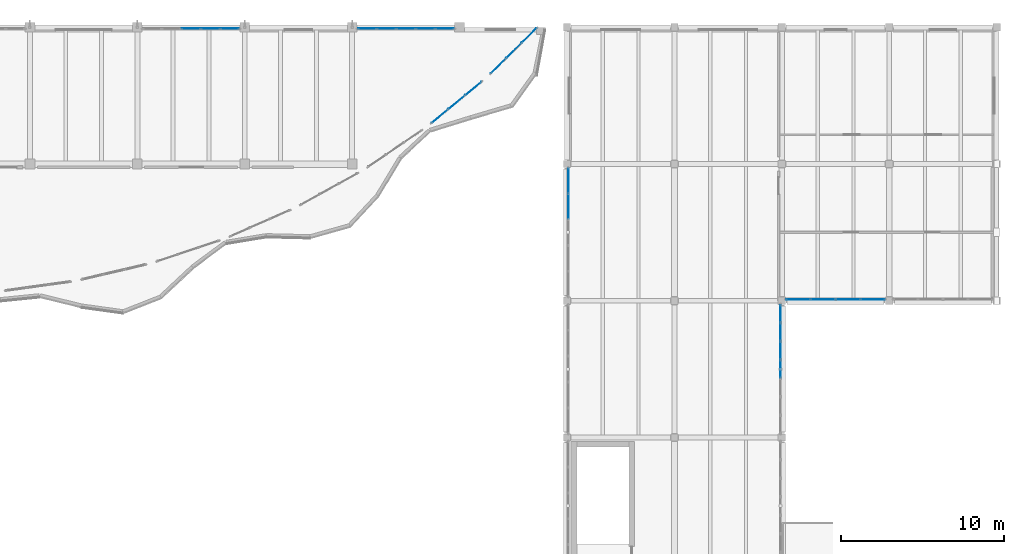
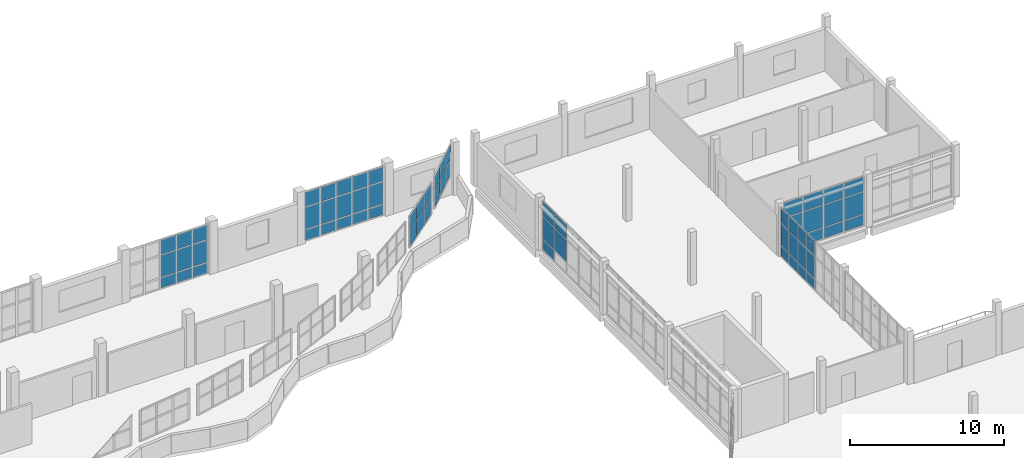
# One storey, part 42 of 74: 65 plates, 7 elements without a shape of their own.
"""IFC4 building model written with IfcOpenShell, lengths in metres."""

from ifc_helpers import new_model, si_unit, direction, frame, origin, origin_2d, place, context, subcontext, project, spatial, rectangle, extrude, material, layer, layer_set, type_object, element, aggregate, save


model = new_model("IFC4")

# Units and contexts
model_context = context("Model", 3, precision=1e-05, world=origin(), true_north=direction((0.0, 1.0)))
body_context = subcontext(model_context, "Body", "Model", "MODEL_VIEW")
ifc_project = project(units=[si_unit("LENGTHUNIT", "METRE"), si_unit("AREAUNIT", "SQUARE_METRE"), si_unit("VOLUMEUNIT", "CUBIC_METRE"), si_unit("PLANEANGLEUNIT", "RADIAN"), si_unit("MASSUNIT", "GRAM", prefix="KILO")], contexts=[model_context])

# Site, building, storey
site_placement = place(None, origin())
site = spatial("IfcSite", under=ifc_project, at=site_placement, CompositionType="ELEMENT")
building_placement = place(site_placement, origin())
building = spatial("IfcBuilding", under=site, at=building_placement, Name="Qaldarim Faculty of Natural and Applied Sciences", CompositionType="ELEMENT")
storey_placement = place(building_placement, frame((0.0, 0.0, 14.39990234375)))
storey = spatial("IfcBuildingStorey", under=building, at=storey_placement, Name="L03", CompositionType="ELEMENT", Elevation=14.39990234375)

# Curtain wall, plates
ifc_material_1 = material(Name="Anodised aluminium AW-6063", Category="aluminium")
curtain_wall_type_1 = type_object("IfcCurtainWallType", Name="CurtainWallSystem-M1200", PredefinedType="USERDEFINED", material=ifc_material_1)
curtain_wall_1_placement = place(storey_placement, origin())
curtain_wall_1 = element("IfcCurtainWall", 1, at=curtain_wall_1_placement, inside=storey, type_object=curtain_wall_type_1, Name="Curtain wall CW-L03-N-X20Y14", ObjectType="STICK CURTAIN WALL", PredefinedType="USERDEFINED")
ifc_material_2 = material(Name="Insulated low-e double glazing", Category="glass")
ifc_layer_1 = layer(ifc_material_2, 0.031982421875)
ifc_layer_set_1 = layer_set([ifc_layer_1], Name="Insulated low-e double glazing")
plate_type_1 = type_object("IfcPlateType", Name="SolarControlGlazingPanel-32", PredefinedType="CURTAIN_PANEL", material=ifc_layer_set_1)
plate_1_placement = place(storey_placement, frame((131.08642578125, 117.52001953125, 0.070068359375), z_axis=(0.0, 0.0, 1.0), x_axis=(-1.0, 0.0, 0.0)))
plate_1 = element("IfcPlate", 2, at=plate_1_placement, type_object=plate_type_1, Name="Glazed panel 1-1 of CW-L03-N-X20Y14", PredefinedType="CURTAIN_PANEL", context=body_context, shape_type="SweptSolid", body=[
    extrude(rectangle(XDim=1.096923828125, YDim=0.031982421875, at=origin_2d()), origin(), (0.0, 0.0, 1.0), 0.794921875),
])
plate_2_placement = place(storey_placement, frame((131.08642578125, 117.52001953125, 0.93505859375), z_axis=(0.0, 0.0, 1.0), x_axis=(-1.0, 0.0, 0.0)))
plate_2 = element("IfcPlate", 3, at=plate_2_placement, type_object=plate_type_1, Name="Glazed panel 1-2 of CW-L03-N-X20Y14", PredefinedType="CURTAIN_PANEL", context=body_context, shape_type="SweptSolid", body=[
    extrude(rectangle(XDim=1.096923828125, YDim=0.031982421875, at=origin_2d()), origin(), (0.0, 0.0, 1.0), 1.72998046875),
])
plate_3_placement = place(storey_placement, frame((131.08642578125, 117.52001953125, 2.73486328125), z_axis=(0.0, 0.0, 1.0), x_axis=(-1.0, 0.0, 0.0)))
plate_3 = element("IfcPlate", 4, at=plate_3_placement, type_object=plate_type_1, Name="Glazed panel 1-3 of CW-L03-N-X20Y14", PredefinedType="CURTAIN_PANEL", context=body_context, shape_type="SweptSolid", body=[
    extrude(rectangle(XDim=1.096923828125, YDim=0.031982421875, at=origin_2d()), origin(), (0.0, 0.0, 1.0), 1.135009765625),
])
plate_4_placement = place(storey_placement, frame((129.902099609375, 117.52001953125, 0.070068359375), z_axis=(0.0, 0.0, 1.0), x_axis=(-1.0, 0.0, 0.0)))
plate_4 = element("IfcPlate", 5, at=plate_4_placement, type_object=plate_type_1, Name="Glazed panel 2-1 of CW-L03-N-X20Y14", PredefinedType="CURTAIN_PANEL", context=body_context, shape_type="SweptSolid", body=[
    extrude(rectangle(XDim=1.132080078125, YDim=0.031982421875, at=origin_2d()), origin(), (0.0, 0.0, 1.0), 0.794921875),
])
plate_5_placement = place(storey_placement, frame((129.902099609375, 117.52001953125, 0.93505859375), z_axis=(0.0, 0.0, 1.0), x_axis=(-1.0, 0.0, 0.0)))
plate_5 = element("IfcPlate", 6, at=plate_5_placement, type_object=plate_type_1, Name="Glazed panel 2-2 of CW-L03-N-X20Y14", PredefinedType="CURTAIN_PANEL", context=body_context, shape_type="SweptSolid", body=[
    extrude(rectangle(XDim=1.132080078125, YDim=0.031982421875, at=origin_2d()), origin(), (0.0, 0.0, 1.0), 1.72998046875),
])
plate_6_placement = place(storey_placement, frame((129.902099609375, 117.52001953125, 2.73486328125), z_axis=(0.0, 0.0, 1.0), x_axis=(-1.0, 0.0, 0.0)))
plate_6 = element("IfcPlate", 7, at=plate_6_placement, type_object=plate_type_1, Name="Glazed panel 2-3 of CW-L03-N-X20Y14", PredefinedType="CURTAIN_PANEL", context=body_context, shape_type="SweptSolid", body=[
    extrude(rectangle(XDim=1.132080078125, YDim=0.031982421875, at=origin_2d()), origin(), (0.0, 0.0, 1.0), 1.135009765625),
])
plate_7_placement = place(storey_placement, frame((128.699951171875, 117.52001953125, 0.070068359375), z_axis=(0.0, 0.0, 1.0), x_axis=(-1.0, 0.0, 0.0)))
plate_7 = element("IfcPlate", 8, at=plate_7_placement, type_object=plate_type_1, Name="Glazed panel 3-1 of CW-L03-N-X20Y14", PredefinedType="CURTAIN_PANEL", context=body_context, shape_type="SweptSolid", body=[
    extrude(rectangle(XDim=1.132080078125, YDim=0.031982421875, at=origin_2d()), origin(), (0.0, 0.0, 1.0), 0.794921875),
])
plate_8_placement = place(storey_placement, frame((128.699951171875, 117.52001953125, 0.93505859375), z_axis=(0.0, 0.0, 1.0), x_axis=(-1.0, 0.0, 0.0)))
plate_8 = element("IfcPlate", 9, at=plate_8_placement, type_object=plate_type_1, Name="Glazed panel 3-2 of CW-L03-N-X20Y14", PredefinedType="CURTAIN_PANEL", context=body_context, shape_type="SweptSolid", body=[
    extrude(rectangle(XDim=1.132080078125, YDim=0.031982421875, at=origin_2d()), origin(), (0.0, 0.0, 1.0), 1.72998046875),
])
plate_9_placement = place(storey_placement, frame((128.699951171875, 117.52001953125, 2.73486328125), z_axis=(0.0, 0.0, 1.0), x_axis=(-1.0, 0.0, 0.0)))
plate_9 = element("IfcPlate", 10, at=plate_9_placement, type_object=plate_type_1, Name="Glazed panel 3-3 of CW-L03-N-X20Y14", PredefinedType="CURTAIN_PANEL", context=body_context, shape_type="SweptSolid", body=[
    extrude(rectangle(XDim=1.132080078125, YDim=0.031982421875, at=origin_2d()), origin(), (0.0, 0.0, 1.0), 1.135009765625),
])
aggregate(curtain_wall_1, [plate_1, plate_2, plate_3, plate_4, plate_5, plate_6, plate_7, plate_8, plate_9])

curtain_wall_2_placement = place(storey_placement, origin())
curtain_wall_2 = element("IfcCurtainWall", 11, at=curtain_wall_2_placement, inside=storey, type_object=curtain_wall_type_1, Name="Curtain wall CW-L03-N-X22Y14", ObjectType="STICK CURTAIN WALL", PredefinedType="USERDEFINED")
plate_10_placement = place(storey_placement, frame((144.28662109375, 117.52001953125, 0.070068359375), z_axis=(0.0, 0.0, 1.0), x_axis=(-1.0, 0.0, 0.0)))
plate_10 = element("IfcPlate", 12, at=plate_10_placement, type_object=plate_type_1, Name="Glazed panel 1-1 of CW-L03-N-X22Y14", PredefinedType="CURTAIN_PANEL", context=body_context, shape_type="SweptSolid", body=[
    extrude(rectangle(XDim=1.096923828125, YDim=0.031982421875, at=origin_2d()), origin(), (0.0, 0.0, 1.0), 0.794921875),
])
plate_11_placement = place(storey_placement, frame((144.28662109375, 117.52001953125, 0.93505859375), z_axis=(0.0, 0.0, 1.0), x_axis=(-1.0, 0.0, 0.0)))
plate_11 = element("IfcPlate", 13, at=plate_11_placement, type_object=plate_type_1, Name="Glazed panel 1-2 of CW-L03-N-X22Y14", PredefinedType="CURTAIN_PANEL", context=body_context, shape_type="SweptSolid", body=[
    extrude(rectangle(XDim=1.096923828125, YDim=0.031982421875, at=origin_2d()), origin(), (0.0, 0.0, 1.0), 1.72998046875),
])
plate_12_placement = place(storey_placement, frame((144.28662109375, 117.52001953125, 2.73486328125), z_axis=(0.0, 0.0, 1.0), x_axis=(-1.0, 0.0, 0.0)))
plate_12 = element("IfcPlate", 14, at=plate_12_placement, type_object=plate_type_1, Name="Glazed panel 1-3 of CW-L03-N-X22Y14", PredefinedType="CURTAIN_PANEL", context=body_context, shape_type="SweptSolid", body=[
    extrude(rectangle(XDim=1.096923828125, YDim=0.031982421875, at=origin_2d()), origin(), (0.0, 0.0, 1.0), 1.135009765625),
])
plate_13_placement = place(storey_placement, frame((143.10205078125, 117.52001953125, 0.070068359375), z_axis=(0.0, 0.0, 1.0), x_axis=(-1.0, 0.0, 0.0)))
plate_13 = element("IfcPlate", 15, at=plate_13_placement, type_object=plate_type_1, Name="Glazed panel 2-1 of CW-L03-N-X22Y14", PredefinedType="CURTAIN_PANEL", context=body_context, shape_type="SweptSolid", body=[
    extrude(rectangle(XDim=1.132080078125, YDim=0.031982421875, at=origin_2d()), origin(), (0.0, 0.0, 1.0), 0.794921875),
])
plate_14_placement = place(storey_placement, frame((143.10205078125, 117.52001953125, 0.93505859375), z_axis=(0.0, 0.0, 1.0), x_axis=(-1.0, 0.0, 0.0)))
plate_14 = element("IfcPlate", 16, at=plate_14_placement, type_object=plate_type_1, Name="Glazed panel 2-2 of CW-L03-N-X22Y14", PredefinedType="CURTAIN_PANEL", context=body_context, shape_type="SweptSolid", body=[
    extrude(rectangle(XDim=1.132080078125, YDim=0.031982421875, at=origin_2d()), origin(), (0.0, 0.0, 1.0), 1.72998046875),
])
plate_15_placement = place(storey_placement, frame((143.10205078125, 117.52001953125, 2.73486328125), z_axis=(0.0, 0.0, 1.0), x_axis=(-1.0, 0.0, 0.0)))
plate_15 = element("IfcPlate", 17, at=plate_15_placement, type_object=plate_type_1, Name="Glazed panel 2-3 of CW-L03-N-X22Y14", PredefinedType="CURTAIN_PANEL", context=body_context, shape_type="SweptSolid", body=[
    extrude(rectangle(XDim=1.132080078125, YDim=0.031982421875, at=origin_2d()), origin(), (0.0, 0.0, 1.0), 1.135009765625),
])
plate_16_placement = place(storey_placement, frame((141.89990234375, 117.52001953125, 0.070068359375), z_axis=(0.0, 0.0, 1.0), x_axis=(-1.0, 0.0, 0.0)))
plate_16 = element("IfcPlate", 18, at=plate_16_placement, type_object=plate_type_1, Name="Glazed panel 3-1 of CW-L03-N-X22Y14", PredefinedType="CURTAIN_PANEL", context=body_context, shape_type="SweptSolid", body=[
    extrude(rectangle(XDim=1.132080078125, YDim=0.031982421875, at=origin_2d()), origin(), (0.0, 0.0, 1.0), 0.794921875),
])
plate_17_placement = place(storey_placement, frame((141.89990234375, 117.52001953125, 0.93505859375), z_axis=(0.0, 0.0, 1.0), x_axis=(-1.0, 0.0, 0.0)))
plate_17 = element("IfcPlate", 19, at=plate_17_placement, type_object=plate_type_1, Name="Glazed panel 3-2 of CW-L03-N-X22Y14", PredefinedType="CURTAIN_PANEL", context=body_context, shape_type="SweptSolid", body=[
    extrude(rectangle(XDim=1.132080078125, YDim=0.031982421875, at=origin_2d()), origin(), (0.0, 0.0, 1.0), 1.72998046875),
])
plate_18_placement = place(storey_placement, frame((141.89990234375, 117.52001953125, 2.73486328125), z_axis=(0.0, 0.0, 1.0), x_axis=(-1.0, 0.0, 0.0)))
plate_18 = element("IfcPlate", 20, at=plate_18_placement, type_object=plate_type_1, Name="Glazed panel 3-3 of CW-L03-N-X22Y14", PredefinedType="CURTAIN_PANEL", context=body_context, shape_type="SweptSolid", body=[
    extrude(rectangle(XDim=1.132080078125, YDim=0.031982421875, at=origin_2d()), origin(), (0.0, 0.0, 1.0), 1.135009765625),
])
plate_19_placement = place(storey_placement, frame((140.697998046875, 117.52001953125, 0.070068359375), z_axis=(0.0, 0.0, 1.0), x_axis=(-1.0, 0.0, 0.0)))
plate_19 = element("IfcPlate", 21, at=plate_19_placement, type_object=plate_type_1, Name="Glazed panel 4-1 of CW-L03-N-X22Y14", PredefinedType="CURTAIN_PANEL", context=body_context, shape_type="SweptSolid", body=[
    extrude(rectangle(XDim=1.132080078125, YDim=0.031982421875, at=origin_2d()), origin(), (0.0, 0.0, 1.0), 0.794921875),
])
plate_20_placement = place(storey_placement, frame((140.697998046875, 117.52001953125, 0.93505859375), z_axis=(0.0, 0.0, 1.0), x_axis=(-1.0, 0.0, 0.0)))
plate_20 = element("IfcPlate", 22, at=plate_20_placement, type_object=plate_type_1, Name="Glazed panel 4-2 of CW-L03-N-X22Y14", PredefinedType="CURTAIN_PANEL", context=body_context, shape_type="SweptSolid", body=[
    extrude(rectangle(XDim=1.132080078125, YDim=0.031982421875, at=origin_2d()), origin(), (0.0, 0.0, 1.0), 1.72998046875),
])
plate_21_placement = place(storey_placement, frame((140.697998046875, 117.52001953125, 2.73486328125), z_axis=(0.0, 0.0, 1.0), x_axis=(-1.0, 0.0, 0.0)))
plate_21 = element("IfcPlate", 23, at=plate_21_placement, type_object=plate_type_1, Name="Glazed panel 4-3 of CW-L03-N-X22Y14", PredefinedType="CURTAIN_PANEL", context=body_context, shape_type="SweptSolid", body=[
    extrude(rectangle(XDim=1.132080078125, YDim=0.031982421875, at=origin_2d()), origin(), (0.0, 0.0, 1.0), 1.135009765625),
])
plate_22_placement = place(storey_placement, frame((139.513427734375, 117.52001953125, 0.070068359375), z_axis=(0.0, 0.0, 1.0), x_axis=(-1.0, 0.0, 0.0)))
plate_22 = element("IfcPlate", 24, at=plate_22_placement, type_object=plate_type_1, Name="Glazed panel 5-1 of CW-L03-N-X22Y14", PredefinedType="CURTAIN_PANEL", context=body_context, shape_type="SweptSolid", body=[
    extrude(rectangle(XDim=1.096923828125, YDim=0.031982421875, at=origin_2d()), origin(), (0.0, 0.0, 1.0), 0.794921875),
])
plate_23_placement = place(storey_placement, frame((139.513427734375, 117.52001953125, 0.93505859375), z_axis=(0.0, 0.0, 1.0), x_axis=(-1.0, 0.0, 0.0)))
plate_23 = element("IfcPlate", 25, at=plate_23_placement, type_object=plate_type_1, Name="Glazed panel 5-2 of CW-L03-N-X22Y14", PredefinedType="CURTAIN_PANEL", context=body_context, shape_type="SweptSolid", body=[
    extrude(rectangle(XDim=1.096923828125, YDim=0.031982421875, at=origin_2d()), origin(), (0.0, 0.0, 1.0), 1.72998046875),
])
plate_24_placement = place(storey_placement, frame((139.513427734375, 117.52001953125, 2.73486328125), z_axis=(0.0, 0.0, 1.0), x_axis=(-1.0, 0.0, 0.0)))
plate_24 = element("IfcPlate", 26, at=plate_24_placement, type_object=plate_type_1, Name="Glazed panel 5-3 of CW-L03-N-X22Y14", PredefinedType="CURTAIN_PANEL", context=body_context, shape_type="SweptSolid", body=[
    extrude(rectangle(XDim=1.096923828125, YDim=0.031982421875, at=origin_2d()), origin(), (0.0, 0.0, 1.0), 1.135009765625),
])
aggregate(curtain_wall_2, [plate_10, plate_11, plate_12, plate_13, plate_14, plate_15, plate_16, plate_17, plate_18, plate_19, plate_20, plate_21, plate_22, plate_23, plate_24])

curtain_wall_3_placement = place(storey_placement, origin())
curtain_wall_3 = element("IfcCurtainWall", 27, at=curtain_wall_3_placement, inside=storey, type_object=curtain_wall_type_1, Name="Curtain wall CW-L03-E-X25Y12", ObjectType="STICK CURTAIN WALL", PredefinedType="USERDEFINED")
plate_25_placement = place(storey_placement, frame((164.919921875, 96.60009765625, 0.070068359375), z_axis=(0.0, 0.0, 1.0), x_axis=(0.0, 1.0, 0.0)))
plate_25 = element("IfcPlate", 28, at=plate_25_placement, type_object=plate_type_1, Name="Glazed panel 4-1 of CW-L03-E-X25Y12", PredefinedType="CURTAIN_PANEL", context=body_context, shape_type="SweptSolid", body=[
    extrude(rectangle(XDim=1.067138671875, YDim=0.031982421875, at=origin_2d()), origin(), (0.0, 0.0, 1.0), 0.794921875),
])
plate_26_placement = place(storey_placement, frame((164.919921875, 96.60009765625, 0.93505859375), z_axis=(0.0, 0.0, 1.0), x_axis=(0.0, 1.0, 0.0)))
plate_26 = element("IfcPlate", 29, at=plate_26_placement, type_object=plate_type_1, Name="Glazed panel 4-2 of CW-L03-E-X25Y12", PredefinedType="CURTAIN_PANEL", context=body_context, shape_type="SweptSolid", body=[
    extrude(rectangle(XDim=1.067138671875, YDim=0.031982421875, at=origin_2d()), origin(), (0.0, 0.0, 1.0), 1.72998046875),
])
plate_27_placement = place(storey_placement, frame((164.919921875, 96.60009765625, 2.73486328125), z_axis=(0.0, 0.0, 1.0), x_axis=(0.0, 1.0, 0.0)))
plate_27 = element("IfcPlate", 30, at=plate_27_placement, type_object=plate_type_1, Name="Glazed panel 4-3 of CW-L03-E-X25Y12", PredefinedType="CURTAIN_PANEL", context=body_context, shape_type="SweptSolid", body=[
    extrude(rectangle(XDim=1.067138671875, YDim=0.031982421875, at=origin_2d()), origin(), (0.0, 0.0, 1.0), 1.135009765625),
])
plate_28_placement = place(storey_placement, frame((164.919921875, 97.737060546875, 0.070068359375), z_axis=(0.0, 0.0, 1.0), x_axis=(0.0, 1.0, 0.0)))
plate_28 = element("IfcPlate", 31, at=plate_28_placement, type_object=plate_type_1, Name="Glazed panel 5-1 of CW-L03-E-X25Y12", PredefinedType="CURTAIN_PANEL", context=body_context, shape_type="SweptSolid", body=[
    extrude(rectangle(XDim=1.067138671875, YDim=0.031982421875, at=origin_2d()), origin(), (0.0, 0.0, 1.0), 0.794921875),
])
plate_29_placement = place(storey_placement, frame((164.919921875, 97.737060546875, 0.93505859375), z_axis=(0.0, 0.0, 1.0), x_axis=(0.0, 1.0, 0.0)))
plate_29 = element("IfcPlate", 32, at=plate_29_placement, type_object=plate_type_1, Name="Glazed panel 5-2 of CW-L03-E-X25Y12", PredefinedType="CURTAIN_PANEL", context=body_context, shape_type="SweptSolid", body=[
    extrude(rectangle(XDim=1.067138671875, YDim=0.031982421875, at=origin_2d()), origin(), (0.0, 0.0, 1.0), 1.72998046875),
])
plate_30_placement = place(storey_placement, frame((164.919921875, 97.737060546875, 2.73486328125), z_axis=(0.0, 0.0, 1.0), x_axis=(0.0, 1.0, 0.0)))
plate_30 = element("IfcPlate", 33, at=plate_30_placement, type_object=plate_type_1, Name="Glazed panel 5-3 of CW-L03-E-X25Y12", PredefinedType="CURTAIN_PANEL", context=body_context, shape_type="SweptSolid", body=[
    extrude(rectangle(XDim=1.067138671875, YDim=0.031982421875, at=origin_2d()), origin(), (0.0, 0.0, 1.0), 1.135009765625),
])
plate_31_placement = place(storey_placement, frame((164.919921875, 98.874267578125, 0.070068359375), z_axis=(0.0, 0.0, 1.0), x_axis=(0.0, 1.0, 0.0)))
plate_31 = element("IfcPlate", 34, at=plate_31_placement, type_object=plate_type_1, Name="Glazed panel 6-1 of CW-L03-E-X25Y12", PredefinedType="CURTAIN_PANEL", context=body_context, shape_type="SweptSolid", body=[
    extrude(rectangle(XDim=1.067138671875, YDim=0.031982421875, at=origin_2d()), origin(), (0.0, 0.0, 1.0), 0.794921875),
])
plate_32_placement = place(storey_placement, frame((164.919921875, 98.874267578125, 0.93505859375), z_axis=(0.0, 0.0, 1.0), x_axis=(0.0, 1.0, 0.0)))
plate_32 = element("IfcPlate", 35, at=plate_32_placement, type_object=plate_type_1, Name="Glazed panel 6-2 of CW-L03-E-X25Y12", PredefinedType="CURTAIN_PANEL", context=body_context, shape_type="SweptSolid", body=[
    extrude(rectangle(XDim=1.067138671875, YDim=0.031982421875, at=origin_2d()), origin(), (0.0, 0.0, 1.0), 1.72998046875),
])
plate_33_placement = place(storey_placement, frame((164.919921875, 98.874267578125, 2.73486328125), z_axis=(0.0, 0.0, 1.0), x_axis=(0.0, 1.0, 0.0)))
plate_33 = element("IfcPlate", 36, at=plate_33_placement, type_object=plate_type_1, Name="Glazed panel 6-3 of CW-L03-E-X25Y12", PredefinedType="CURTAIN_PANEL", context=body_context, shape_type="SweptSolid", body=[
    extrude(rectangle(XDim=1.067138671875, YDim=0.031982421875, at=origin_2d()), origin(), (0.0, 0.0, 1.0), 1.135009765625),
])
plate_34_placement = place(storey_placement, frame((164.919921875, 99.993896484375, 0.070068359375), z_axis=(0.0, 0.0, 1.0), x_axis=(0.0, 1.0, 0.0)))
plate_34 = element("IfcPlate", 37, at=plate_34_placement, type_object=plate_type_1, Name="Glazed panel 7-1 of CW-L03-E-X25Y12", PredefinedType="CURTAIN_PANEL", context=body_context, shape_type="SweptSolid", body=[
    extrude(rectangle(XDim=1.031982421875, YDim=0.031982421875, at=origin_2d()), origin(), (0.0, 0.0, 1.0), 0.794921875),
])
plate_35_placement = place(storey_placement, frame((164.919921875, 99.993896484375, 0.93505859375), z_axis=(0.0, 0.0, 1.0), x_axis=(0.0, 1.0, 0.0)))
plate_35 = element("IfcPlate", 38, at=plate_35_placement, type_object=plate_type_1, Name="Glazed panel 7-2 of CW-L03-E-X25Y12", PredefinedType="CURTAIN_PANEL", context=body_context, shape_type="SweptSolid", body=[
    extrude(rectangle(XDim=1.031982421875, YDim=0.031982421875, at=origin_2d()), origin(), (0.0, 0.0, 1.0), 1.72998046875),
])
plate_36_placement = place(storey_placement, frame((164.919921875, 99.993896484375, 2.73486328125), z_axis=(0.0, 0.0, 1.0), x_axis=(0.0, 1.0, 0.0)))
plate_36 = element("IfcPlate", 39, at=plate_36_placement, type_object=plate_type_1, Name="Glazed panel 7-3 of CW-L03-E-X25Y12", PredefinedType="CURTAIN_PANEL", context=body_context, shape_type="SweptSolid", body=[
    extrude(rectangle(XDim=1.031982421875, YDim=0.031982421875, at=origin_2d()), origin(), (0.0, 0.0, 1.0), 1.135009765625),
])
aggregate(curtain_wall_3, [plate_25, plate_26, plate_27, plate_28, plate_29, plate_30, plate_31, plate_32, plate_33, plate_34, plate_35, plate_36])

curtain_wall_type_2 = type_object("IfcCurtainWallType", Name="CurtainWallSystem-M1600", PredefinedType="USERDEFINED", material=ifc_material_1)
curtain_wall_4_placement = place(storey_placement, origin())
curtain_wall_4 = element("IfcCurtainWall", 40, at=curtain_wall_4_placement, inside=storey, type_object=curtain_wall_type_2, Name="Curtain wall CW-L03-W-X24Y13", ObjectType="UNITISED FACADE", PredefinedType="USERDEFINED")
ifc_layer_2 = layer(ifc_material_2, 0.028076171875)
ifc_layer_set_2 = layer_set([ifc_layer_2], Name="Insulated low-e double glazing")
plate_type_2 = type_object("IfcPlateType", Name="VisionGlazingPanel-28", PredefinedType="CURTAIN_PANEL", material=ifc_layer_set_2)
plate_37_placement = place(storey_placement, frame((151.8798828125, 108.1689453125, 0.06005859375), z_axis=(0.0, 0.0, 1.0), x_axis=(0.0, -1.0, 0.0)))
plate_37 = element("IfcPlate", 41, at=plate_37_placement, type_object=plate_type_2, Name="Glazed panel 1-1 of CW-L03-W-X24Y13", PredefinedType="CURTAIN_PANEL", context=body_context, shape_type="SweptSolid", body=[
    extrude(rectangle(XDim=1.501953125, YDim=0.028076171875, at=origin_2d()), origin(), (0.0, 0.0, 1.0), 0.81005859375),
])
plate_38_placement = place(storey_placement, frame((151.8798828125, 108.1689453125, 0.93017578125), z_axis=(0.0, 0.0, 1.0), x_axis=(0.0, -1.0, 0.0)))
plate_38 = element("IfcPlate", 42, at=plate_38_placement, type_object=plate_type_2, Name="Glazed panel 1-2 of CW-L03-W-X24Y13", PredefinedType="CURTAIN_PANEL", context=body_context, shape_type="SweptSolid", body=[
    extrude(rectangle(XDim=1.501953125, YDim=0.028076171875, at=origin_2d()), origin(), (0.0, 0.0, 1.0), 1.739990234375),
])
plate_39_placement = place(storey_placement, frame((151.8798828125, 108.1689453125, 2.730224609375), z_axis=(0.0, 0.0, 1.0), x_axis=(0.0, -1.0, 0.0)))
plate_39 = element("IfcPlate", 43, at=plate_39_placement, type_object=plate_type_2, Name="Glazed panel 1-3 of CW-L03-W-X24Y13", PredefinedType="CURTAIN_PANEL", context=body_context, shape_type="SweptSolid", body=[
    extrude(rectangle(XDim=1.501953125, YDim=0.028076171875, at=origin_2d()), origin(), (0.0, 0.0, 1.0), 1.14990234375),
])
plate_40_placement = place(storey_placement, frame((151.8798828125, 106.592041015625, 0.93017578125), z_axis=(0.0, 0.0, 1.0), x_axis=(0.0, -1.0, 0.0)))
plate_40 = element("IfcPlate", 44, at=plate_40_placement, type_object=plate_type_2, Name="Glazed panel 2-2 of CW-L03-W-X24Y13", PredefinedType="CURTAIN_PANEL", context=body_context, shape_type="SweptSolid", body=[
    extrude(rectangle(XDim=1.531982421875, YDim=0.028076171875, at=origin_2d()), origin(), (0.0, 0.0, 1.0), 1.739990234375),
])
plate_41_placement = place(storey_placement, frame((151.8798828125, 106.592041015625, 2.730224609375), z_axis=(0.0, 0.0, 1.0), x_axis=(0.0, -1.0, 0.0)))
plate_41 = element("IfcPlate", 45, at=plate_41_placement, type_object=plate_type_2, Name="Glazed panel 2-3 of CW-L03-W-X24Y13", PredefinedType="CURTAIN_PANEL", context=body_context, shape_type="SweptSolid", body=[
    extrude(rectangle(XDim=1.531982421875, YDim=0.028076171875, at=origin_2d()), origin(), (0.0, 0.0, 1.0), 1.14990234375),
])
aggregate(curtain_wall_4, [plate_37, plate_38, plate_39, plate_40, plate_41])

curtain_wall_5_placement = place(storey_placement, origin())
curtain_wall_5 = element("IfcCurtainWall", 46, at=curtain_wall_5_placement, inside=storey, type_object=curtain_wall_type_2, Name="Curtain wall CW-L03-S-X26Y13", ObjectType="UNITISED FACADE", PredefinedType="USERDEFINED")
plate_42_placement = place(storey_placement, frame((166.0048828125, 100.8798828125, 0.06005859375), z_axis=(0.0, 0.0, 1.0), x_axis=(1.0, 0.0, 0.0)))
plate_42 = element("IfcPlate", 47, at=plate_42_placement, type_object=plate_type_2, Name="Glazed panel 1-1 of CW-L03-S-X26Y13", PredefinedType="CURTAIN_PANEL", context=body_context, shape_type="SweptSolid", body=[
    extrude(rectangle(XDim=1.449951171875, YDim=0.028076171875, at=origin_2d()), origin(), (0.0, 0.0, 1.0), 0.81005859375),
])
plate_43_placement = place(storey_placement, frame((166.0048828125, 100.8798828125, 0.93017578125), z_axis=(0.0, 0.0, 1.0), x_axis=(1.0, 0.0, 0.0)))
plate_43 = element("IfcPlate", 48, at=plate_43_placement, type_object=plate_type_2, Name="Glazed panel 1-2 of CW-L03-S-X26Y13", PredefinedType="CURTAIN_PANEL", context=body_context, shape_type="SweptSolid", body=[
    extrude(rectangle(XDim=1.449951171875, YDim=0.028076171875, at=origin_2d()), origin(), (0.0, 0.0, 1.0), 1.739990234375),
])
plate_44_placement = place(storey_placement, frame((166.0048828125, 100.8798828125, 2.730224609375), z_axis=(0.0, 0.0, 1.0), x_axis=(1.0, 0.0, 0.0)))
plate_44 = element("IfcPlate", 49, at=plate_44_placement, type_object=plate_type_2, Name="Glazed panel 1-3 of CW-L03-S-X26Y13", PredefinedType="CURTAIN_PANEL", context=body_context, shape_type="SweptSolid", body=[
    extrude(rectangle(XDim=1.449951171875, YDim=0.028076171875, at=origin_2d()), origin(), (0.0, 0.0, 1.0), 1.14990234375),
])
plate_45_placement = place(storey_placement, frame((167.530029296875, 100.8798828125, 0.06005859375), z_axis=(0.0, 0.0, 1.0), x_axis=(1.0, 0.0, 0.0)))
plate_45 = element("IfcPlate", 50, at=plate_45_placement, type_object=plate_type_2, Name="Glazed panel 2-1 of CW-L03-S-X26Y13", PredefinedType="CURTAIN_PANEL", context=body_context, shape_type="SweptSolid", body=[
    extrude(rectangle(XDim=1.47998046875, YDim=0.028076171875, at=origin_2d()), origin(), (0.0, 0.0, 1.0), 0.81005859375),
])
plate_46_placement = place(storey_placement, frame((167.530029296875, 100.8798828125, 0.93017578125), z_axis=(0.0, 0.0, 1.0), x_axis=(1.0, 0.0, 0.0)))
plate_46 = element("IfcPlate", 51, at=plate_46_placement, type_object=plate_type_2, Name="Glazed panel 2-2 of CW-L03-S-X26Y13", PredefinedType="CURTAIN_PANEL", context=body_context, shape_type="SweptSolid", body=[
    extrude(rectangle(XDim=1.47998046875, YDim=0.028076171875, at=origin_2d()), origin(), (0.0, 0.0, 1.0), 1.739990234375),
])
plate_47_placement = place(storey_placement, frame((167.530029296875, 100.8798828125, 2.730224609375), z_axis=(0.0, 0.0, 1.0), x_axis=(1.0, 0.0, 0.0)))
plate_47 = element("IfcPlate", 52, at=plate_47_placement, type_object=plate_type_2, Name="Glazed panel 2-3 of CW-L03-S-X26Y13", PredefinedType="CURTAIN_PANEL", context=body_context, shape_type="SweptSolid", body=[
    extrude(rectangle(XDim=1.47998046875, YDim=0.028076171875, at=origin_2d()), origin(), (0.0, 0.0, 1.0), 1.14990234375),
])
plate_48_placement = place(storey_placement, frame((169.070068359375, 100.8798828125, 0.06005859375), z_axis=(0.0, 0.0, 1.0), x_axis=(1.0, 0.0, 0.0)))
plate_48 = element("IfcPlate", 53, at=plate_48_placement, type_object=plate_type_2, Name="Glazed panel 3-1 of CW-L03-S-X26Y13", PredefinedType="CURTAIN_PANEL", context=body_context, shape_type="SweptSolid", body=[
    extrude(rectangle(XDim=1.47998046875, YDim=0.028076171875, at=origin_2d()), origin(), (0.0, 0.0, 1.0), 0.81005859375),
])
plate_49_placement = place(storey_placement, frame((169.070068359375, 100.8798828125, 0.93017578125), z_axis=(0.0, 0.0, 1.0), x_axis=(1.0, 0.0, 0.0)))
plate_49 = element("IfcPlate", 54, at=plate_49_placement, type_object=plate_type_2, Name="Glazed panel 3-2 of CW-L03-S-X26Y13", PredefinedType="CURTAIN_PANEL", context=body_context, shape_type="SweptSolid", body=[
    extrude(rectangle(XDim=1.47998046875, YDim=0.028076171875, at=origin_2d()), origin(), (0.0, 0.0, 1.0), 1.739990234375),
])
plate_50_placement = place(storey_placement, frame((169.070068359375, 100.8798828125, 2.730224609375), z_axis=(0.0, 0.0, 1.0), x_axis=(1.0, 0.0, 0.0)))
plate_50 = element("IfcPlate", 55, at=plate_50_placement, type_object=plate_type_2, Name="Glazed panel 3-3 of CW-L03-S-X26Y13", PredefinedType="CURTAIN_PANEL", context=body_context, shape_type="SweptSolid", body=[
    extrude(rectangle(XDim=1.47998046875, YDim=0.028076171875, at=origin_2d()), origin(), (0.0, 0.0, 1.0), 1.14990234375),
])
plate_51_placement = place(storey_placement, frame((170.594970703125, 100.8798828125, 0.06005859375), z_axis=(0.0, 0.0, 1.0), x_axis=(1.0, 0.0, 0.0)))
plate_51 = element("IfcPlate", 56, at=plate_51_placement, type_object=plate_type_2, Name="Glazed panel 4-1 of CW-L03-S-X26Y13", PredefinedType="CURTAIN_PANEL", context=body_context, shape_type="SweptSolid", body=[
    extrude(rectangle(XDim=1.449951171875, YDim=0.028076171875, at=origin_2d()), origin(), (0.0, 0.0, 1.0), 0.81005859375),
])
plate_52_placement = place(storey_placement, frame((170.594970703125, 100.8798828125, 0.93017578125), z_axis=(0.0, 0.0, 1.0), x_axis=(1.0, 0.0, 0.0)))
plate_52 = element("IfcPlate", 57, at=plate_52_placement, type_object=plate_type_2, Name="Glazed panel 4-2 of CW-L03-S-X26Y13", PredefinedType="CURTAIN_PANEL", context=body_context, shape_type="SweptSolid", body=[
    extrude(rectangle(XDim=1.449951171875, YDim=0.028076171875, at=origin_2d()), origin(), (0.0, 0.0, 1.0), 1.739990234375),
])
plate_53_placement = place(storey_placement, frame((170.594970703125, 100.8798828125, 2.730224609375), z_axis=(0.0, 0.0, 1.0), x_axis=(1.0, 0.0, 0.0)))
plate_53 = element("IfcPlate", 58, at=plate_53_placement, type_object=plate_type_2, Name="Glazed panel 4-3 of CW-L03-S-X26Y13", PredefinedType="CURTAIN_PANEL", context=body_context, shape_type="SweptSolid", body=[
    extrude(rectangle(XDim=1.449951171875, YDim=0.028076171875, at=origin_2d()), origin(), (0.0, 0.0, 1.0), 1.14990234375),
])
aggregate(curtain_wall_5, [plate_42, plate_43, plate_44, plate_45, plate_46, plate_47, plate_48, plate_49, plate_50, plate_51, plate_52, plate_53])

curtain_wall_type_3 = type_object("IfcCurtainWallType", Name="CurtainWallSystem-M1400", PredefinedType="USERDEFINED", material=ifc_material_1)
curtain_wall_6_placement = place(storey_placement, origin())
curtain_wall_6 = element("IfcCurtainWall", 59, at=curtain_wall_6_placement, inside=storey, type_object=curtain_wall_type_3, Name="Curtain wall CW-V4ARC-L03-14", ObjectType="STICK CURTAIN WALL", PredefinedType="USERDEFINED")
plate_54_placement = place(storey_placement, frame((143.9873046875, 112.138671875, 1.51025390625), z_axis=(0.0, 0.0, 1.0), x_axis=(0.771746687418, 0.635930067271, 0.0)))
plate_54 = element("IfcPlate", 60, at=plate_54_placement, type_object=plate_type_2, Name="Glazed panel 1-1 of CW-V4ARC-L03-14", PredefinedType="CURTAIN_PANEL", context=body_context, shape_type="SweptSolid", body=[
    extrude(rectangle(XDim=1.259765625, YDim=0.028076171875, at=origin_2d()), origin(), (0.0, 0.0, 1.0), 1.260009765625),
])
plate_55_placement = place(storey_placement, frame((143.9873046875, 112.138671875, 2.830078125), z_axis=(0.0, 0.0, 1.0), x_axis=(0.771746687418, 0.635930067271, 0.0)))
plate_55 = element("IfcPlate", 61, at=plate_55_placement, type_object=plate_type_2, Name="Glazed panel 1-2 of CW-V4ARC-L03-14", PredefinedType="CURTAIN_PANEL", context=body_context, shape_type="SweptSolid", body=[
    extrude(rectangle(XDim=1.259765625, YDim=0.028076171875, at=origin_2d()), origin(), (0.0, 0.0, 1.0), 1.050048828125),
])
plate_56_placement = place(storey_placement, frame((145.017578125, 112.987548828125, 1.51025390625), z_axis=(0.0, 0.0, 1.0), x_axis=(0.771746687418, 0.635930067271, 0.0)))
plate_56 = element("IfcPlate", 62, at=plate_56_placement, type_object=plate_type_2, Name="Glazed panel 2-1 of CW-V4ARC-L03-14", PredefinedType="CURTAIN_PANEL", context=body_context, shape_type="SweptSolid", body=[
    extrude(rectangle(XDim=1.289794921875, YDim=0.028076171875, at=origin_2d()), origin(), (0.0, 0.0, 1.0), 1.260009765625),
])
plate_57_placement = place(storey_placement, frame((145.017578125, 112.987548828125, 2.830078125), z_axis=(0.0, 0.0, 1.0), x_axis=(0.771746687418, 0.635930067271, 0.0)))
plate_57 = element("IfcPlate", 63, at=plate_57_placement, type_object=plate_type_2, Name="Glazed panel 2-2 of CW-V4ARC-L03-14", PredefinedType="CURTAIN_PANEL", context=body_context, shape_type="SweptSolid", body=[
    extrude(rectangle(XDim=1.289794921875, YDim=0.028076171875, at=origin_2d()), origin(), (0.0, 0.0, 1.0), 1.050048828125),
])
plate_58_placement = place(storey_placement, frame((146.047607421875, 113.836181640625, 1.51025390625), z_axis=(0.0, 0.0, 1.0), x_axis=(0.771746687418, 0.635930067271, 0.0)))
plate_58 = element("IfcPlate", 64, at=plate_58_placement, type_object=plate_type_2, Name="Glazed panel 3-1 of CW-V4ARC-L03-14", PredefinedType="CURTAIN_PANEL", context=body_context, shape_type="SweptSolid", body=[
    extrude(rectangle(XDim=1.259765625, YDim=0.028076171875, at=origin_2d()), origin(), (0.0, 0.0, 1.0), 1.260009765625),
])
plate_59_placement = place(storey_placement, frame((146.047607421875, 113.836181640625, 2.830078125), z_axis=(0.0, 0.0, 1.0), x_axis=(0.771746687418, 0.635930067271, 0.0)))
plate_59 = element("IfcPlate", 65, at=plate_59_placement, type_object=plate_type_2, Name="Glazed panel 3-2 of CW-V4ARC-L03-14", PredefinedType="CURTAIN_PANEL", context=body_context, shape_type="SweptSolid", body=[
    extrude(rectangle(XDim=1.259765625, YDim=0.028076171875, at=origin_2d()), origin(), (0.0, 0.0, 1.0), 1.050048828125),
])
aggregate(curtain_wall_6, [plate_54, plate_55, plate_56, plate_57, plate_58, plate_59])

curtain_wall_7_placement = place(storey_placement, origin())
curtain_wall_7 = element("IfcCurtainWall", 66, at=curtain_wall_7_placement, inside=storey, type_object=curtain_wall_type_3, Name="Curtain wall CW-V4ARC-L03-16", ObjectType="STICK CURTAIN WALL", PredefinedType="USERDEFINED")
plate_60_placement = place(storey_placement, frame((147.584716796875, 115.2255859375, 1.51025390625), z_axis=(0.0, 0.0, 1.0), x_axis=(0.710185375623, 0.704014724456, 0.0)))
plate_60 = element("IfcPlate", 67, at=plate_60_placement, type_object=plate_type_2, Name="Glazed panel 1-1 of CW-V4ARC-L03-16", PredefinedType="CURTAIN_PANEL", context=body_context, shape_type="SweptSolid", body=[
    extrude(rectangle(XDim=1.259521484375, YDim=0.028076171875, at=origin_2d()), origin(), (0.0, 0.0, 1.0), 1.260009765625),
])
plate_61_placement = place(storey_placement, frame((147.584716796875, 115.2255859375, 2.830078125), z_axis=(0.0, 0.0, 1.0), x_axis=(0.710185375623, 0.704014724456, 0.0)))
plate_61 = element("IfcPlate", 68, at=plate_61_placement, type_object=plate_type_2, Name="Glazed panel 1-2 of CW-V4ARC-L03-16", PredefinedType="CURTAIN_PANEL", context=body_context, shape_type="SweptSolid", body=[
    extrude(rectangle(XDim=1.259521484375, YDim=0.028076171875, at=origin_2d()), origin(), (0.0, 0.0, 1.0), 1.050048828125),
])
plate_62_placement = place(storey_placement, frame((148.532470703125, 116.1650390625, 1.51025390625), z_axis=(0.0, 0.0, 1.0), x_axis=(0.710185375623, 0.704014724456, 0.0)))
plate_62 = element("IfcPlate", 69, at=plate_62_placement, type_object=plate_type_2, Name="Glazed panel 2-1 of CW-V4ARC-L03-16", PredefinedType="CURTAIN_PANEL", context=body_context, shape_type="SweptSolid", body=[
    extrude(rectangle(XDim=1.289306640625, YDim=0.028076171875, at=origin_2d()), origin(), (0.0, 0.0, 1.0), 1.260009765625),
])
plate_63_placement = place(storey_placement, frame((148.532470703125, 116.1650390625, 2.830078125), z_axis=(0.0, 0.0, 1.0), x_axis=(0.710185375623, 0.704014724456, 0.0)))
plate_63 = element("IfcPlate", 70, at=plate_63_placement, type_object=plate_type_2, Name="Glazed panel 2-2 of CW-V4ARC-L03-16", PredefinedType="CURTAIN_PANEL", context=body_context, shape_type="SweptSolid", body=[
    extrude(rectangle(XDim=1.289306640625, YDim=0.028076171875, at=origin_2d()), origin(), (0.0, 0.0, 1.0), 1.050048828125),
])
plate_64_placement = place(storey_placement, frame((149.480224609375, 117.1044921875, 1.51025390625), z_axis=(0.0, 0.0, 1.0), x_axis=(0.710185375623, 0.704014724456, 0.0)))
plate_64 = element("IfcPlate", 71, at=plate_64_placement, type_object=plate_type_2, Name="Glazed panel 3-1 of CW-V4ARC-L03-16", PredefinedType="CURTAIN_PANEL", context=body_context, shape_type="SweptSolid", body=[
    extrude(rectangle(XDim=1.259521484375, YDim=0.028076171875, at=origin_2d()), origin(), (0.0, 0.0, 1.0), 1.260009765625),
])
plate_65_placement = place(storey_placement, frame((149.480224609375, 117.1044921875, 2.830078125), z_axis=(0.0, 0.0, 1.0), x_axis=(0.710185375623, 0.704014724456, 0.0)))
plate_65 = element("IfcPlate", 72, at=plate_65_placement, type_object=plate_type_2, Name="Glazed panel 3-2 of CW-V4ARC-L03-16", PredefinedType="CURTAIN_PANEL", context=body_context, shape_type="SweptSolid", body=[
    extrude(rectangle(XDim=1.259521484375, YDim=0.028076171875, at=origin_2d()), origin(), (0.0, 0.0, 1.0), 1.050048828125),
])
aggregate(curtain_wall_7, [plate_60, plate_61, plate_62, plate_63, plate_64, plate_65])

save(model, "model.ifc")
